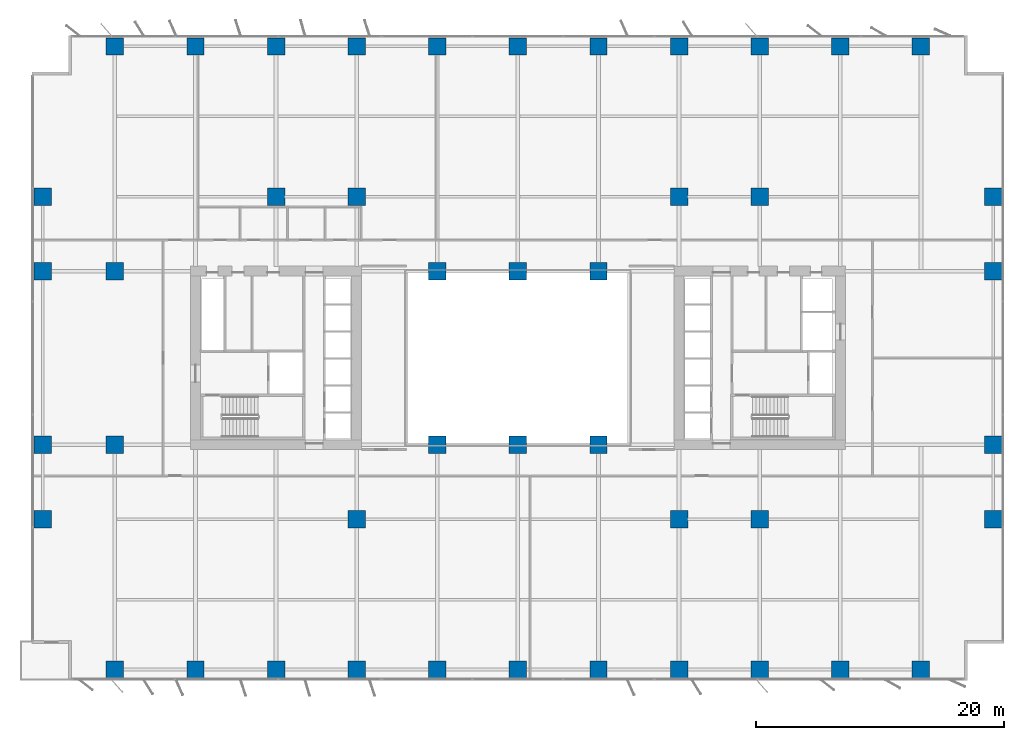
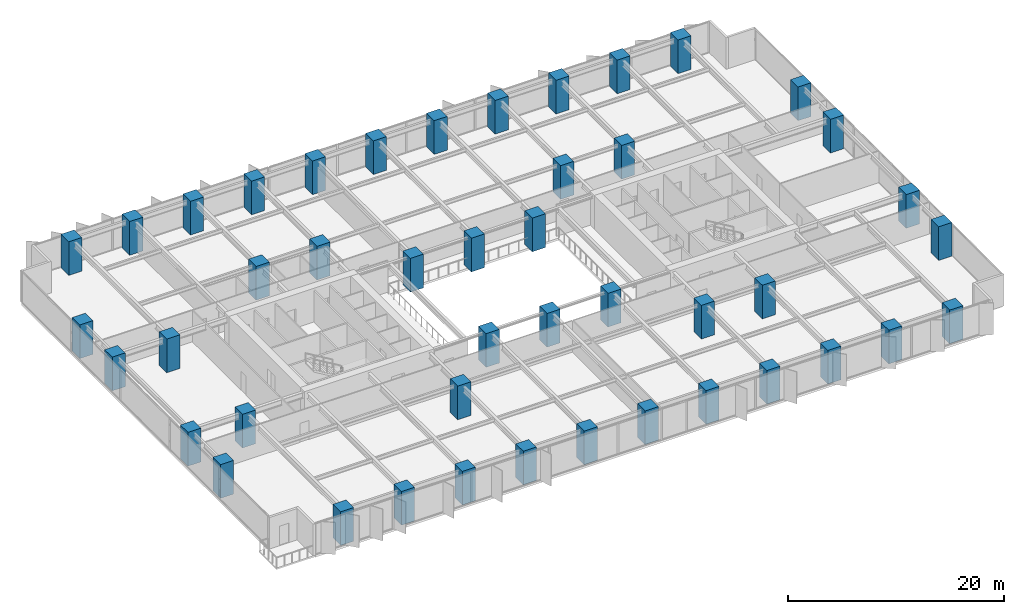
# One storey, part 1 of 20: 45 columns.
"""IFC4 building model written with IfcOpenShell, lengths in metres."""

from ifc_helpers import new_model, si_unit, direction, frame, origin, origin_2d, place, context, subcontext, project, spatial, rectangle, extrude, material, material_profile, profile_set, type_object, element, save


model = new_model("IFC4")

# Units and contexts
model_context = context("Model", 3, precision=1e-05, world=origin(), true_north=direction((0.0, 1.0)))
body_context = subcontext(model_context, "Body", "Model", "MODEL_VIEW")
ifc_project = project(units=[si_unit("LENGTHUNIT", "METRE"), si_unit("AREAUNIT", "SQUARE_METRE"), si_unit("VOLUMEUNIT", "CUBIC_METRE"), si_unit("PLANEANGLEUNIT", "RADIAN"), si_unit("MASSUNIT", "GRAM", prefix="KILO")], contexts=[model_context])

# Site, building, storey
site_placement = place(None, origin())
site = spatial("IfcSite", under=ifc_project, at=site_placement, CompositionType="ELEMENT")
building_placement = place(site_placement, origin())
building = spatial("IfcBuilding", under=site, at=building_placement, Name="Putna Gate Headquarters", CompositionType="ELEMENT")
storey_placement = place(building_placement, frame((0.0, 0.0, 35.39990234375)))
storey = spatial("IfcBuildingStorey", under=building, at=storey_placement, Name="L07", CompositionType="ELEMENT", Elevation=35.39990234375)

# Columns
ifc_material = material(Name="Concrete C60/75", Category="concrete")
ifc_material_profile_1 = material_profile(ifc_material, rectangle(XDim=1.39990234375, YDim=1.39990234375, at=origin_2d()), Name="Concrete C60/75")
ifc_profile_set_1 = profile_set([ifc_material_profile_1], Name="Concrete C60/75")
column_type_1 = type_object("IfcColumnType", Name="COL-RC1400-EXT", PredefinedType="COLUMN", material=ifc_profile_set_1)
for number, where, z_axis, x_axis, name in (
    (1, (6.5, 0.8798828125, 0.0), (0.0, 0.0, 1.0), (1.0, 0.0, 0.0), "L07 Column CP-S6"),
    (2, (6.5, 51.1201171875, 0.0), (0.0, 0.0, 1.0), (1.0, 0.0, 0.0), "L07 Column CP-N6"),
    (3, (13.0, 0.8798828125, 0.0), (0.0, 0.0, 1.0), (1.0, 0.0, 0.0), "L07 Column CP-S13"),
    (4, (13.0, 51.1201171875, 0.0), (0.0, 0.0, 1.0), (1.0, 0.0, 0.0), "L07 Column CP-N13"),
    (5, (19.5, 0.8798828125, 0.0), (0.0, 0.0, 1.0), (1.0, 0.0, 0.0), "L07 Column CP-S19"),
    (6, (19.5, 51.1201171875, 0.0), (0.0, 0.0, 1.0), (1.0, 0.0, 0.0), "L07 Column CP-N19"),
    (7, (26.0, 0.8798828125, 0.0), (0.0, 0.0, 1.0), (1.0, 0.0, 0.0), "L07 Column CP-S26"),
    (8, (26.0, 51.1201171875, 0.0), (0.0, 0.0, 1.0), (1.0, 0.0, 0.0), "L07 Column CP-N26"),
    (9, (32.5, 0.8798828125, 0.0), (0.0, 0.0, 1.0), (1.0, 0.0, 0.0), "L07 Column CP-S32"),
    (10, (32.5, 51.1201171875, 0.0), (0.0, 0.0, 1.0), (1.0, 0.0, 0.0), "L07 Column CP-N32"),
    (11, (39.0, 0.8798828125, 0.0), (0.0, 0.0, 1.0), (1.0, 0.0, 0.0), "L07 Column CP-S39"),
    (12, (39.0, 51.1201171875, 0.0), (0.0, 0.0, 1.0), (1.0, 0.0, 0.0), "L07 Column CP-N39"),
    (13, (45.5, 0.8798828125, 0.0), (0.0, 0.0, 1.0), (1.0, 0.0, 0.0), "L07 Column CP-S45"),
    (14, (45.5, 51.1201171875, 0.0), (0.0, 0.0, 1.0), (1.0, 0.0, 0.0), "L07 Column CP-N45"),
    (15, (52.0, 0.8798828125, 0.0), (0.0, 0.0, 1.0), (1.0, 0.0, 0.0), "L07 Column CP-S52"),
    (16, (52.0, 51.1201171875, 0.0), (0.0, 0.0, 1.0), (1.0, 0.0, 0.0), "L07 Column CP-N52"),
    (17, (58.5, 0.8798828125, 0.0), (0.0, 0.0, 1.0), (1.0, 0.0, 0.0), "L07 Column CP-S58"),
    (18, (58.5, 51.1201171875, 0.0), (0.0, 0.0, 1.0), (1.0, 0.0, 0.0), "L07 Column CP-N58"),
    (19, (65.0, 0.8798828125, 0.0), (0.0, 0.0, 1.0), (1.0, 0.0, 0.0), "L07 Column CP-S65"),
    (20, (65.0, 51.1201171875, 0.0), (0.0, 0.0, 1.0), (1.0, 0.0, 0.0), "L07 Column CP-N65"),
    (21, (71.5, 0.8798828125, 0.0), (0.0, 0.0, 1.0), (1.0, 0.0, 0.0), "L07 Column CP-S71"),
    (22, (71.5, 51.1201171875, 0.0), (0.0, 0.0, 1.0), (1.0, 0.0, 0.0), "L07 Column CP-N71"),
    (23, (0.679931640625, 13.0, 0.0), (0.0, 0.0, 1.0), (1.0, 0.0, 0.0), "L07 Column CP-W13"),
    (24, (77.320068359375, 13.0, 0.0), (0.0, 0.0, 1.0), (1.0, 0.0, 0.0), "L07 Column CP-E13"),
    (25, (0.679931640625, 19.0, 0.0), (0.0, 0.0, 1.0), (1.0, 0.0, 0.0), "L07 Column CP-W19"),
    (26, (77.320068359375, 19.0, 0.0), (0.0, 0.0, 1.0), (1.0, 0.0, 0.0), "L07 Column CP-E19"),
    (27, (0.679931640625, 33.0, 0.0), (0.0, 0.0, 1.0), (1.0, 0.0, 0.0), "L07 Column CP-W33"),
    (28, (77.320068359375, 33.0, 0.0), (0.0, 0.0, 1.0), (1.0, 0.0, 0.0), "L07 Column CP-E33"),
    (29, (0.679931640625, 39.0, 0.0), (0.0, 0.0, 1.0), (1.0, 0.0, 0.0), "L07 Column CP-W39"),
    (30, (77.320068359375, 39.0, 0.0), (0.0, 0.0, 1.0), (1.0, 0.0, 0.0), "L07 Column CP-E39"),
):
    element("IfcColumn", number, at=place(storey_placement, frame(where, z_axis=z_axis, x_axis=x_axis)), inside=storey, type_object=column_type_1, Name=name, PredefinedType="COLUMN", context=body_context, shape_type="SweptSolid", body=[
        extrude(rectangle(XDim=1.39990234375, YDim=1.39990234375, at=origin_2d()), origin(), (0.0, 0.0, 1.0), 3.800048828125),
    ])
ifc_material_profile_2 = material_profile(ifc_material, rectangle(XDim=1.39990234375, YDim=1.39990234375, at=origin_2d()), Name="Concrete C60/75")
ifc_profile_set_2 = profile_set([ifc_material_profile_2], Name="Concrete C60/75")
column_type_2 = type_object("IfcColumnType", Name="COL-RC1400-INT", PredefinedType="COLUMN", material=ifc_profile_set_2)
for number, where, z_axis, x_axis, name in (
    (31, (19.5, 39.0, 0.0), (0.0, 0.0, 1.0), (1.0, 0.0, 0.0), "L07 Column CSI-WN"),
    (32, (58.5, 13.0, 0.0), (0.0, 0.0, 1.0), (1.0, 0.0, 0.0), "L07 Column CSI-ES"),
    (33, (58.5, 39.0, 0.0), (0.0, 0.0, 1.0), (1.0, 0.0, 0.0), "L07 Column CSI-EN"),
    (34, (6.5, 19.0, 0.0), (0.0, 0.0, 1.0), (1.0, 0.0, 0.0), "L07 Column CSI-WM"),
    (35, (6.5, 33.0, 0.0), (0.0, 0.0, 1.0), (1.0, 0.0, 0.0), "L07 Column CSI-WNW"),
    (36, (32.5, 19.0, 0.0), (0.0, 0.0, 1.0), (1.0, 0.0, 0.0), "L07 Column CAI-S32"),
    (37, (32.5, 33.0, 0.0), (0.0, 0.0, 1.0), (1.0, 0.0, 0.0), "L07 Column CAI-N32"),
    (38, (39.0, 19.0, 0.0), (0.0, 0.0, 1.0), (1.0, 0.0, 0.0), "L07 Column CAI-S39"),
    (39, (39.0, 33.0, 0.0), (0.0, 0.0, 1.0), (1.0, 0.0, 0.0), "L07 Column CAI-N39"),
    (40, (45.5, 19.0, 0.0), (0.0, 0.0, 1.0), (1.0, 0.0, 0.0), "L07 Column CAI-S45"),
    (41, (45.5, 33.0, 0.0), (0.0, 0.0, 1.0), (1.0, 0.0, 0.0), "L07 Column CAI-N45"),
    (42, (26.0, 13.0, 0.0), (0.0, 0.0, 1.0), (1.0, 0.0, 0.0), "L07 Column CAP-WS"),
    (43, (26.0, 39.0, 0.0), (0.0, 0.0, 1.0), (1.0, 0.0, 0.0), "L07 Column CAP-WN"),
    (44, (52.0, 13.0, 0.0), (0.0, 0.0, 1.0), (1.0, 0.0, 0.0), "L07 Column CAP-ES"),
    (45, (52.0, 39.0, 0.0), (0.0, 0.0, 1.0), (1.0, 0.0, 0.0), "L07 Column CAP-EN"),
):
    element("IfcColumn", number, at=place(storey_placement, frame(where, z_axis=z_axis, x_axis=x_axis)), inside=storey, type_object=column_type_2, Name=name, PredefinedType="COLUMN", context=body_context, shape_type="SweptSolid", body=[
        extrude(rectangle(XDim=1.39990234375, YDim=1.39990234375, at=origin_2d()), origin(), (0.0, 0.0, 1.0), 3.800048828125),
    ])

save(model, "model.ifc")
